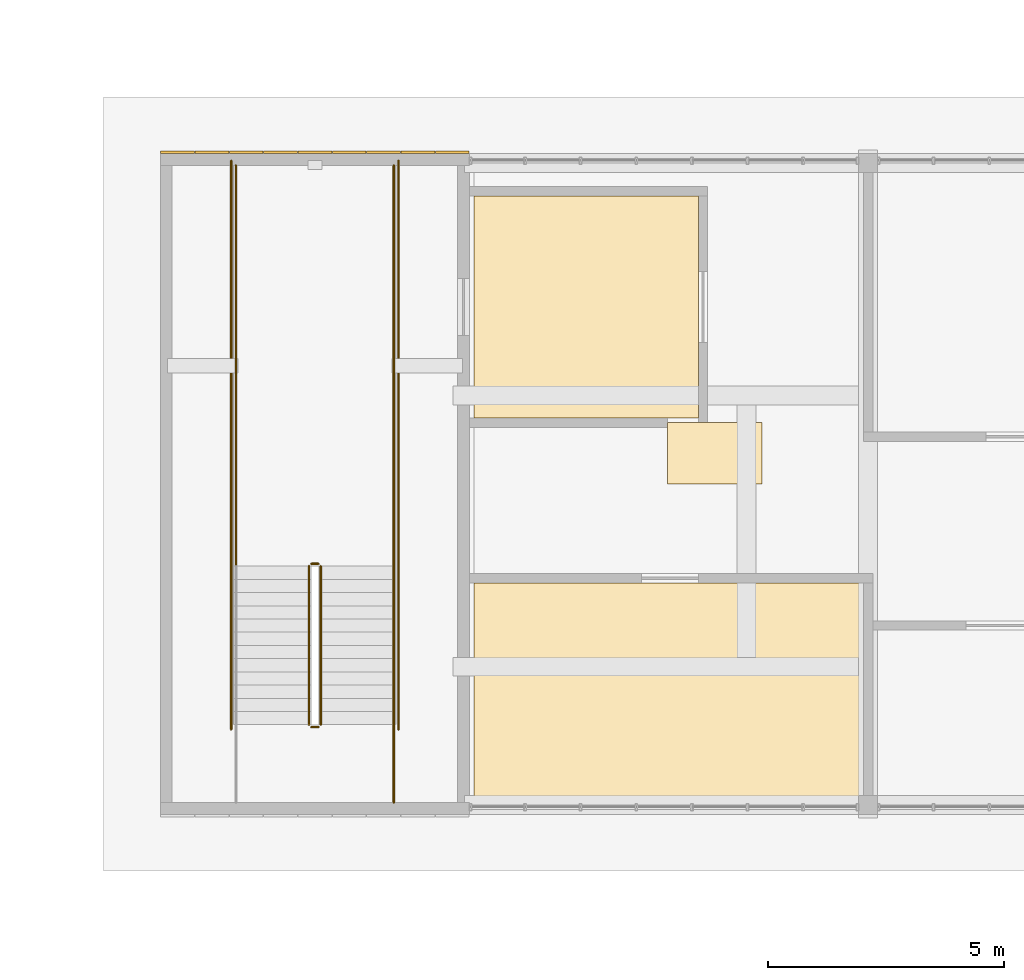
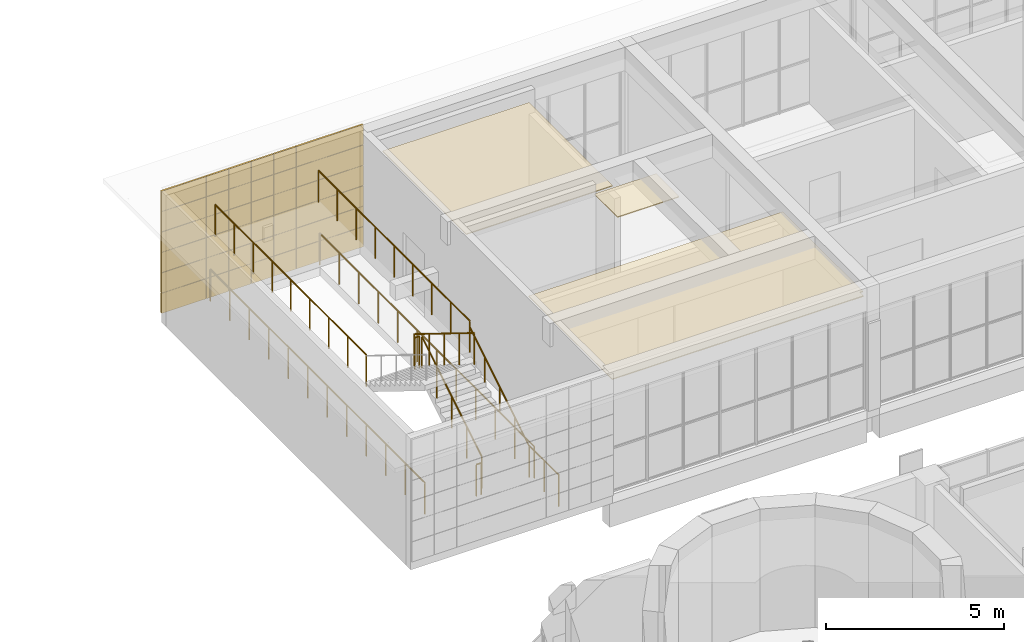
# One storey, part 71 of 92: 10 railings, 4 coverings.
"""IFC4 building model written with IfcOpenShell, lengths in metres."""

from ifc_helpers import new_model, si_unit, direction, frame, origin, origin_2d, place, context, subcontext, project, spatial, polyline, rectangle, circle, outline, extrude, material, layer, layer_set, type_object, element, save


model = new_model("IFC4")

# Units and contexts
model_context = context("Model", 3, precision=1e-05, world=origin(), true_north=direction((0.0, 1.0)))
body_context = subcontext(model_context, "Body", "Model", "MODEL_VIEW")
ifc_project = project(units=[si_unit("LENGTHUNIT", "METRE"), si_unit("AREAUNIT", "SQUARE_METRE"), si_unit("VOLUMEUNIT", "CUBIC_METRE"), si_unit("PLANEANGLEUNIT", "RADIAN"), si_unit("MASSUNIT", "GRAM", prefix="KILO")], contexts=[model_context])

# Site, building, storey
site_placement = place(None, origin())
site = spatial("IfcSite", under=ifc_project, at=site_placement, CompositionType="ELEMENT")
building_placement = place(site_placement, origin())
building = spatial("IfcBuilding", under=site, at=building_placement, Name="Sun Court Science Centre", CompositionType="ELEMENT")
storey_placement = place(building_placement, frame((0.0, 0.0, 11.25)))
storey = spatial("IfcBuildingStorey", under=building, at=storey_placement, Name="L02", CompositionType="ELEMENT", Elevation=11.25)

# Coverings
ifc_material_1 = material(Name="Gypsum board")
ifc_layer_1 = layer(ifc_material_1, 0.030029296875)
ifc_layer_set_1 = layer_set([ifc_layer_1], Name="Gypsum board")
covering_type_1 = type_object("IfcCoveringType", Name="Ceiling suspended 600 module", PredefinedType="CEILING", material=ifc_layer_set_1)
covering_1_placement = place(storey_placement, frame((0.0, 0.0, 3.77001953125)))
element("IfcCovering", 1, at=covering_1_placement, inside=storey, type_object=covering_type_1, Name="L02-072 ceiling", PredefinedType="CEILING", context=body_context, shape_type="SweptSolid", body=[
    extrude(outline(polyline([(42.64990234375, 36.199951171875), (42.64990234375, 40.89990234375), (50.89990234375, 40.89990234375), (50.89990234375, 36.39990234375), (50.800048828125, 36.39990234375), (50.800048828125, 36.199951171875), (42.64990234375, 36.199951171875)])), origin(), (0.0, 0.0, 1.0), 0.030029296875),
])
covering_2_placement = place(storey_placement, frame((0.0, 0.0, 3.77001953125)))
element("IfcCovering", 2, at=covering_2_placement, inside=storey, type_object=covering_type_1, Name="L02-073 ceiling", PredefinedType="CEILING", context=body_context, shape_type="SweptSolid", body=[
    extrude(outline(polyline([(42.64990234375, 49.10009765625), (47.39990234375, 49.10009765625), (47.39990234375, 44.39990234375), (42.64990234375, 44.39990234375), (42.64990234375, 49.10009765625)])), origin(), (0.0, 0.0, 1.0), 0.030029296875),
])
covering_3_placement = place(storey_placement, frame((0.0, 0.0, 3.77001953125)))
element("IfcCovering", 3, at=covering_3_placement, inside=storey, type_object=covering_type_1, Name="L02-078 ceiling", PredefinedType="CEILING", context=body_context, shape_type="SweptSolid", body=[
    extrude(outline(polyline([(48.75, 44.300048828125), (48.75, 43.0), (46.75, 43.0), (46.75, 44.300048828125), (48.75, 44.300048828125)])), origin(), (0.0, 0.0, 1.0), 0.030029296875),
])

# Railings
ifc_material_2 = material(Name="Steel S275", Category="steel")
railing_type_1 = type_object("IfcRailingType", Name="Guard 1100 steel balustrade", PredefinedType="GUARDRAIL", material=ifc_material_2)
railing_1_placement = place(storey_placement, frame((39.39990234375, 37.89794921875, 0.173095703125)))
element("IfcRailing", 4, at=railing_1_placement, inside=storey, type_object=railing_type_1, Name="L02 SP1 stair guard 1", PredefinedType="GUARDRAIL", context=body_context, shape_type="SweptSolid", body=[
    extrude(circle(Radius=0.02392578125, at=origin_2d()), frame((0.0, 0.0, 1.076171875), z_axis=(0.0, 0.850623216509, 0.525775754039), x_axis=(-1.0, 0.0, 0.0)), (0.0, 0.0, 1.0), 3.9501953125),
    extrude(circle(Radius=0.02099609375, at=origin_2d()), origin(), (0.0, 0.0, 1.0), 1.052001953125),
    extrude(circle(Radius=0.02099609375, at=origin_2d()), frame((0.0, 0.840087890625, 0.519287109375)), (0.0, 0.0, 1.0), 1.052001953125),
    extrude(circle(Radius=0.02099609375, at=origin_2d()), frame((0.0, 1.68017578125, 1.03857421875)), (0.0, 0.0, 1.0), 1.052001953125),
    extrude(circle(Radius=0.02099609375, at=origin_2d()), frame((0.0, 2.52001953125, 1.5576171875)), (0.0, 0.0, 1.0), 1.052001953125),
    extrude(circle(Radius=0.02099609375, at=origin_2d()), frame((0.0, 3.360107421875, 2.076904296875)), (0.0, 0.0, 1.0), 1.052001953125),
])
railing_2_placement = place(storey_placement, frame((39.35009765625, 41.30810546875, 2.25)))
element("IfcRailing", 5, at=railing_2_placement, inside=storey, type_object=railing_type_1, Name="L02 SP1 stair guard 2", PredefinedType="GUARDRAIL", context=body_context, shape_type="SweptSolid", body=[
    extrude(circle(Radius=0.02392578125, at=origin_2d()), frame((0.0, 0.0, 1.076171875), z_axis=(-1.0, 0.0, 0.0), x_axis=(0.0, -1.0, 0.0)), (0.0, 0.0, 1.0), 0.150146484375),
    extrude(circle(Radius=0.02099609375, at=origin_2d()), origin(), (0.0, 0.0, 1.0), 1.052001953125),
    extrude(circle(Radius=0.02099609375, at=origin_2d()), frame((-0.150146484375, 0.0, 0.0)), (0.0, 0.0, 1.0), 1.052001953125),
])
for number, where, name in (
    (6, (40.947998046875, 41.258056640625, 2.25), "L02 SP1 stair guard 3"),
    (7, (37.60205078125, 41.258056640625, 2.25), "L02 SP1 stair guard 4"),
):
    element("IfcRailing", number, at=place(storey_placement, frame(where)), inside=storey, type_object=railing_type_1, Name=name, PredefinedType="GUARDRAIL", context=body_context, shape_type="SweptSolid", body=[
        extrude(circle(Radius=0.02392578125, at=origin_2d()), frame((0.0, 0.0, 1.076171875), z_axis=(0.0, 1.0, 0.0), x_axis=(-1.0, 0.0, 0.0)), (0.0, 0.0, 1.0), 8.491943359375),
        extrude(circle(Radius=0.02099609375, at=origin_2d()), origin(), (0.0, 0.0, 1.0), 1.052001953125),
        extrude(circle(Radius=0.02099609375, at=origin_2d()), frame((0.0, 1.0615234375, 0.0)), (0.0, 0.0, 1.0), 1.052001953125),
        extrude(circle(Radius=0.02099609375, at=origin_2d()), frame((0.0, 2.123046875, 0.0)), (0.0, 0.0, 1.0), 1.052001953125),
        extrude(circle(Radius=0.02099609375, at=origin_2d()), frame((0.0, 3.1845703125, 0.0)), (0.0, 0.0, 1.0), 1.052001953125),
        extrude(circle(Radius=0.02099609375, at=origin_2d()), frame((0.0, 4.24609375, 0.0)), (0.0, 0.0, 1.0), 1.052001953125),
        extrude(circle(Radius=0.02099609375, at=origin_2d()), frame((0.0, 5.307373046875, 0.0)), (0.0, 0.0, 1.0), 1.052001953125),
        extrude(circle(Radius=0.02099609375, at=origin_2d()), frame((0.0, 6.368896484375, 0.0)), (0.0, 0.0, 1.0), 1.052001953125),
        extrude(circle(Radius=0.02099609375, at=origin_2d()), frame((0.0, 7.430419921875, 0.0)), (0.0, 0.0, 1.0), 1.052001953125),
        extrude(circle(Radius=0.02099609375, at=origin_2d()), frame((0.0, 8.491943359375, 0.0)), (0.0, 0.0, 1.0), 1.052001953125),
    ])
railing_3_placement = place(storey_placement, frame((39.14990234375, 41.258056640625, 2.423095703125)))
element("IfcRailing", 8, at=railing_3_placement, inside=storey, type_object=railing_type_1, Name="L02 SP1 stair guard 5", PredefinedType="GUARDRAIL", context=body_context, shape_type="SweptSolid", body=[
    extrude(circle(Radius=0.02392578125, at=origin_2d()), frame((0.0, 0.0, 1.076171875), z_axis=(0.0, -0.850623216509, 0.525775754039), x_axis=(1.0, 0.0, 0.0)), (0.0, 0.0, 1.0), 3.9501953125),
    extrude(circle(Radius=0.02099609375, at=origin_2d()), origin(), (0.0, 0.0, 1.0), 1.052001953125),
    extrude(circle(Radius=0.02099609375, at=origin_2d()), frame((0.0, -0.840087890625, 0.519287109375)), (0.0, 0.0, 1.0), 1.052001953125),
    extrude(circle(Radius=0.02099609375, at=origin_2d()), frame((0.0, -1.68017578125, 1.03857421875)), (0.0, 0.0, 1.0), 1.052001953125),
    extrude(circle(Radius=0.02099609375, at=origin_2d()), frame((0.0, -2.52001953125, 1.5576171875)), (0.0, 0.0, 1.0), 1.052001953125),
    extrude(circle(Radius=0.02099609375, at=origin_2d()), frame((0.0, -3.360107421875, 2.076904296875)), (0.0, 0.0, 1.0), 1.052001953125),
])
railing_4_placement = place(storey_placement, frame((39.35009765625, 37.847900390625, 0.0)))
element("IfcRailing", 9, at=railing_4_placement, inside=storey, type_object=railing_type_1, Name="L02 SP1 stair guard 6", PredefinedType="GUARDRAIL", context=body_context, shape_type="SweptSolid", body=[
    extrude(circle(Radius=0.02392578125, at=origin_2d()), frame((0.0, 0.0, 1.076171875), z_axis=(-1.0, 0.0, 0.0), x_axis=(0.0, -1.0, 0.0)), (0.0, 0.0, 1.0), 0.150146484375),
    extrude(circle(Radius=0.02099609375, at=origin_2d()), origin(), (0.0, 0.0, 1.0), 1.052001953125),
    extrude(circle(Radius=0.02099609375, at=origin_2d()), frame((-0.150146484375, 0.0, 0.0)), (0.0, 0.0, 1.0), 1.052001953125),
])
railing_5_placement = place(storey_placement, frame((40.947998046875, 36.25, 0.0)))
element("IfcRailing", 10, at=railing_5_placement, inside=storey, type_object=railing_type_1, Name="L02 SP1 stair guard 7", PredefinedType="GUARDRAIL", context=body_context, shape_type="SweptSolid", body=[
    extrude(circle(Radius=0.02392578125, at=origin_2d()), frame((0.0, 0.0, 1.076171875), z_axis=(0.0, 1.0, 0.0), x_axis=(-1.0, 0.0, 0.0)), (0.0, 0.0, 1.0), 1.64794921875),
    extrude(circle(Radius=0.02099609375, at=origin_2d()), origin(), (0.0, 0.0, 1.0), 1.052001953125),
    extrude(circle(Radius=0.02099609375, at=origin_2d()), frame((0.0, 0.823974609375, 0.0)), (0.0, 0.0, 1.0), 1.052001953125),
    extrude(circle(Radius=0.02099609375, at=origin_2d()), frame((0.0, 1.64794921875, 0.0)), (0.0, 0.0, 1.0), 1.052001953125),
])
for number, where, name in (
    (11, (41.048095703125, 37.798095703125, 0.0), "L02 SP1 stair guard 9"),
    (12, (37.501953125, 37.798095703125, 0.0), "L02 SP1 stair guard 10"),
):
    element("IfcRailing", number, at=place(storey_placement, frame(where)), inside=storey, type_object=railing_type_1, Name=name, PredefinedType="GUARDRAIL", context=body_context, shape_type="SweptSolid", body=[
        extrude(circle(Radius=0.02392578125, at=origin_2d()), frame((0.0, 0.0, 1.076171875), z_axis=(0.0, 1.0, 0.0), x_axis=(-1.0, 0.0, 0.0)), (0.0, 0.0, 1.0), 12.052001953125),
        extrude(circle(Radius=0.02099609375, at=origin_2d()), origin(), (0.0, 0.0, 1.0), 1.052001953125),
        extrude(circle(Radius=0.02099609375, at=origin_2d()), frame((0.0, 1.095703125, 0.0)), (0.0, 0.0, 1.0), 1.052001953125),
        extrude(circle(Radius=0.02099609375, at=origin_2d()), frame((0.0, 2.191162109375, 0.0)), (0.0, 0.0, 1.0), 1.052001953125),
        extrude(circle(Radius=0.02099609375, at=origin_2d()), frame((0.0, 3.286865234375, 0.0)), (0.0, 0.0, 1.0), 1.052001953125),
        extrude(circle(Radius=0.02099609375, at=origin_2d()), frame((0.0, 4.382568359375, 0.0)), (0.0, 0.0, 1.0), 1.052001953125),
        extrude(circle(Radius=0.02099609375, at=origin_2d()), frame((0.0, 5.478271484375, 0.0)), (0.0, 0.0, 1.0), 1.052001953125),
        extrude(circle(Radius=0.02099609375, at=origin_2d()), frame((0.0, 6.57373046875, 0.0)), (0.0, 0.0, 1.0), 1.052001953125),
        extrude(circle(Radius=0.02099609375, at=origin_2d()), frame((0.0, 7.66943359375, 0.0)), (0.0, 0.0, 1.0), 1.052001953125),
        extrude(circle(Radius=0.02099609375, at=origin_2d()), frame((0.0, 8.76513671875, 0.0)), (0.0, 0.0, 1.0), 1.052001953125),
        extrude(circle(Radius=0.02099609375, at=origin_2d()), frame((0.0, 9.86083984375, 0.0)), (0.0, 0.0, 1.0), 1.052001953125),
        extrude(circle(Radius=0.02099609375, at=origin_2d()), frame((0.0, 10.956298828125, 0.0)), (0.0, 0.0, 1.0), 1.052001953125),
        extrude(circle(Radius=0.02099609375, at=origin_2d()), frame((0.0, 12.052001953125, 0.0)), (0.0, 0.0, 1.0), 1.052001953125),
    ])
ifc_material_3 = material(Name="Stainless steel", Category="steel")
railing_type_2 = type_object("IfcRailingType", Name="Handrail 900 stainless", PredefinedType="HANDRAIL", material=ifc_material_3)
railing_6_placement = place(storey_placement, frame((40.947998046875, 37.89794921875, 0.173095703125)))
element("IfcRailing", 13, at=railing_6_placement, inside=storey, type_object=railing_type_2, Name="L02 SP1 stair handrail 1", PredefinedType="HANDRAIL", context=body_context, shape_type="SweptSolid", body=[
    extrude(circle(Radius=0.02392578125, at=origin_2d()), frame((0.0, 0.0, 0.8759765625), z_axis=(0.0, 0.850623216509, 0.525775754039), x_axis=(-1.0, 0.0, 0.0)), (0.0, 0.0, 1.0), 3.9501953125),
    extrude(circle(Radius=0.02099609375, at=origin_2d()), origin(), (0.0, 0.0, 1.0), 0.851806640625),
    extrude(circle(Radius=0.02099609375, at=origin_2d()), frame((0.0, 0.840087890625, 0.519287109375)), (0.0, 0.0, 1.0), 0.851806640625),
    extrude(circle(Radius=0.02099609375, at=origin_2d()), frame((0.0, 1.68017578125, 1.03857421875)), (0.0, 0.0, 1.0), 0.851806640625),
    extrude(circle(Radius=0.02099609375, at=origin_2d()), frame((0.0, 2.52001953125, 1.5576171875)), (0.0, 0.0, 1.0), 0.851806640625),
    extrude(circle(Radius=0.02099609375, at=origin_2d()), frame((0.0, 3.360107421875, 2.076904296875)), (0.0, 0.0, 1.0), 0.851806640625),
])

# Covering
ifc_material_4 = material(Name="Red sandstone", Category="masonry")
ifc_layer_2 = layer(ifc_material_4, 0.06005859375)
ifc_layer_set_2 = layer_set([ifc_layer_2], Name="Red sandstone")
covering_type_2 = type_object("IfcCoveringType", Name="Red sandstone wall cladding 750", PredefinedType="CLADDING", material=ifc_layer_set_2)
covering_4_placement = place(storey_placement, frame((0.0, 0.0, -11.25)))
element("IfcCovering", 14, at=covering_4_placement, inside=storey, type_object=covering_type_2, Name="Red sandstone wall cladding north face L02", PredefinedType="CLADDING", context=body_context, shape_type="SweptSolid", body=[
    extrude(rectangle(XDim=0.7177734375, YDim=0.06005859375, at=origin_2d()), frame((36.36376953125, 50.030029296875, 11.255126953125), z_axis=(0.0, 0.0, 1.0), x_axis=(1.0, 0.0, 0.0)), (0.0, 0.0, 1.0), 0.68994140625),
    extrude(rectangle(XDim=0.7177734375, YDim=0.06005859375, at=origin_2d()), frame((37.091552734375, 50.030029296875, 11.255126953125), z_axis=(0.0, 0.0, 1.0), x_axis=(1.0, 0.0, 0.0)), (0.0, 0.0, 1.0), 0.68994140625),
    extrude(rectangle(XDim=0.7177734375, YDim=0.06005859375, at=origin_2d()), frame((37.8193359375, 50.030029296875, 11.255126953125), z_axis=(0.0, 0.0, 1.0), x_axis=(1.0, 0.0, 0.0)), (0.0, 0.0, 1.0), 0.68994140625),
    extrude(rectangle(XDim=0.7177734375, YDim=0.06005859375, at=origin_2d()), frame((38.547119140625, 50.030029296875, 11.255126953125), z_axis=(0.0, 0.0, 1.0), x_axis=(1.0, 0.0, 0.0)), (0.0, 0.0, 1.0), 0.68994140625),
    extrude(rectangle(XDim=0.7177734375, YDim=0.06005859375, at=origin_2d()), frame((39.27490234375, 50.030029296875, 11.255126953125), z_axis=(0.0, 0.0, 1.0), x_axis=(1.0, 0.0, 0.0)), (0.0, 0.0, 1.0), 0.68994140625),
    extrude(rectangle(XDim=0.7177734375, YDim=0.06005859375, at=origin_2d()), frame((40.002685546875, 50.030029296875, 11.255126953125), z_axis=(0.0, 0.0, 1.0), x_axis=(1.0, 0.0, 0.0)), (0.0, 0.0, 1.0), 0.68994140625),
    extrude(rectangle(XDim=0.7177734375, YDim=0.06005859375, at=origin_2d()), frame((40.73046875, 50.030029296875, 11.255126953125), z_axis=(0.0, 0.0, 1.0), x_axis=(1.0, 0.0, 0.0)), (0.0, 0.0, 1.0), 0.68994140625),
    extrude(rectangle(XDim=0.7177734375, YDim=0.06005859375, at=origin_2d()), frame((41.458251953125, 50.030029296875, 11.255126953125), z_axis=(0.0, 0.0, 1.0), x_axis=(1.0, 0.0, 0.0)), (0.0, 0.0, 1.0), 0.68994140625),
    extrude(rectangle(XDim=0.7177734375, YDim=0.06005859375, at=origin_2d()), frame((42.18603515625, 50.030029296875, 11.255126953125), z_axis=(0.0, 0.0, 1.0), x_axis=(1.0, 0.0, 0.0)), (0.0, 0.0, 1.0), 0.68994140625),
    extrude(rectangle(XDim=0.7177734375, YDim=0.06005859375, at=origin_2d()), frame((36.36376953125, 50.030029296875, 11.955078125), z_axis=(0.0, 0.0, 1.0), x_axis=(1.0, 0.0, 0.0)), (0.0, 0.0, 1.0), 0.68994140625),
    extrude(rectangle(XDim=0.7177734375, YDim=0.06005859375, at=origin_2d()), frame((37.091552734375, 50.030029296875, 11.955078125), z_axis=(0.0, 0.0, 1.0), x_axis=(1.0, 0.0, 0.0)), (0.0, 0.0, 1.0), 0.68994140625),
    extrude(rectangle(XDim=0.7177734375, YDim=0.06005859375, at=origin_2d()), frame((37.8193359375, 50.030029296875, 11.955078125), z_axis=(0.0, 0.0, 1.0), x_axis=(1.0, 0.0, 0.0)), (0.0, 0.0, 1.0), 0.68994140625),
    extrude(rectangle(XDim=0.7177734375, YDim=0.06005859375, at=origin_2d()), frame((38.547119140625, 50.030029296875, 11.955078125), z_axis=(0.0, 0.0, 1.0), x_axis=(1.0, 0.0, 0.0)), (0.0, 0.0, 1.0), 0.68994140625),
    extrude(rectangle(XDim=0.7177734375, YDim=0.06005859375, at=origin_2d()), frame((39.27490234375, 50.030029296875, 11.955078125), z_axis=(0.0, 0.0, 1.0), x_axis=(1.0, 0.0, 0.0)), (0.0, 0.0, 1.0), 0.68994140625),
    extrude(rectangle(XDim=0.7177734375, YDim=0.06005859375, at=origin_2d()), frame((40.002685546875, 50.030029296875, 11.955078125), z_axis=(0.0, 0.0, 1.0), x_axis=(1.0, 0.0, 0.0)), (0.0, 0.0, 1.0), 0.68994140625),
    extrude(rectangle(XDim=0.7177734375, YDim=0.06005859375, at=origin_2d()), frame((40.73046875, 50.030029296875, 11.955078125), z_axis=(0.0, 0.0, 1.0), x_axis=(1.0, 0.0, 0.0)), (0.0, 0.0, 1.0), 0.68994140625),
    extrude(rectangle(XDim=0.7177734375, YDim=0.06005859375, at=origin_2d()), frame((41.458251953125, 50.030029296875, 11.955078125), z_axis=(0.0, 0.0, 1.0), x_axis=(1.0, 0.0, 0.0)), (0.0, 0.0, 1.0), 0.68994140625),
    extrude(rectangle(XDim=0.7177734375, YDim=0.06005859375, at=origin_2d()), frame((42.18603515625, 50.030029296875, 11.955078125), z_axis=(0.0, 0.0, 1.0), x_axis=(1.0, 0.0, 0.0)), (0.0, 0.0, 1.0), 0.68994140625),
    extrude(rectangle(XDim=0.7177734375, YDim=0.06005859375, at=origin_2d()), frame((36.36376953125, 50.030029296875, 12.655029296875), z_axis=(0.0, 0.0, 1.0), x_axis=(1.0, 0.0, 0.0)), (0.0, 0.0, 1.0), 0.68994140625),
    extrude(rectangle(XDim=0.7177734375, YDim=0.06005859375, at=origin_2d()), frame((37.091552734375, 50.030029296875, 12.655029296875), z_axis=(0.0, 0.0, 1.0), x_axis=(1.0, 0.0, 0.0)), (0.0, 0.0, 1.0), 0.68994140625),
    extrude(rectangle(XDim=0.7177734375, YDim=0.06005859375, at=origin_2d()), frame((37.8193359375, 50.030029296875, 12.655029296875), z_axis=(0.0, 0.0, 1.0), x_axis=(1.0, 0.0, 0.0)), (0.0, 0.0, 1.0), 0.68994140625),
    extrude(rectangle(XDim=0.7177734375, YDim=0.06005859375, at=origin_2d()), frame((38.547119140625, 50.030029296875, 12.655029296875), z_axis=(0.0, 0.0, 1.0), x_axis=(1.0, 0.0, 0.0)), (0.0, 0.0, 1.0), 0.68994140625),
    extrude(rectangle(XDim=0.7177734375, YDim=0.06005859375, at=origin_2d()), frame((39.27490234375, 50.030029296875, 12.655029296875), z_axis=(0.0, 0.0, 1.0), x_axis=(1.0, 0.0, 0.0)), (0.0, 0.0, 1.0), 0.68994140625),
    extrude(rectangle(XDim=0.7177734375, YDim=0.06005859375, at=origin_2d()), frame((40.002685546875, 50.030029296875, 12.655029296875), z_axis=(0.0, 0.0, 1.0), x_axis=(1.0, 0.0, 0.0)), (0.0, 0.0, 1.0), 0.68994140625),
    extrude(rectangle(XDim=0.7177734375, YDim=0.06005859375, at=origin_2d()), frame((40.73046875, 50.030029296875, 12.655029296875), z_axis=(0.0, 0.0, 1.0), x_axis=(1.0, 0.0, 0.0)), (0.0, 0.0, 1.0), 0.68994140625),
    extrude(rectangle(XDim=0.7177734375, YDim=0.06005859375, at=origin_2d()), frame((41.458251953125, 50.030029296875, 12.655029296875), z_axis=(0.0, 0.0, 1.0), x_axis=(1.0, 0.0, 0.0)), (0.0, 0.0, 1.0), 0.68994140625),
    extrude(rectangle(XDim=0.7177734375, YDim=0.06005859375, at=origin_2d()), frame((42.18603515625, 50.030029296875, 12.655029296875), z_axis=(0.0, 0.0, 1.0), x_axis=(1.0, 0.0, 0.0)), (0.0, 0.0, 1.0), 0.68994140625),
    extrude(rectangle(XDim=0.7177734375, YDim=0.06005859375, at=origin_2d()), frame((36.36376953125, 50.030029296875, 13.35498046875), z_axis=(0.0, 0.0, 1.0), x_axis=(1.0, 0.0, 0.0)), (0.0, 0.0, 1.0), 0.68994140625),
    extrude(rectangle(XDim=0.7177734375, YDim=0.06005859375, at=origin_2d()), frame((37.091552734375, 50.030029296875, 13.35498046875), z_axis=(0.0, 0.0, 1.0), x_axis=(1.0, 0.0, 0.0)), (0.0, 0.0, 1.0), 0.68994140625),
    extrude(rectangle(XDim=0.7177734375, YDim=0.06005859375, at=origin_2d()), frame((37.8193359375, 50.030029296875, 13.35498046875), z_axis=(0.0, 0.0, 1.0), x_axis=(1.0, 0.0, 0.0)), (0.0, 0.0, 1.0), 0.68994140625),
    extrude(rectangle(XDim=0.7177734375, YDim=0.06005859375, at=origin_2d()), frame((38.547119140625, 50.030029296875, 13.35498046875), z_axis=(0.0, 0.0, 1.0), x_axis=(1.0, 0.0, 0.0)), (0.0, 0.0, 1.0), 0.68994140625),
    extrude(rectangle(XDim=0.7177734375, YDim=0.06005859375, at=origin_2d()), frame((39.27490234375, 50.030029296875, 13.35498046875), z_axis=(0.0, 0.0, 1.0), x_axis=(1.0, 0.0, 0.0)), (0.0, 0.0, 1.0), 0.68994140625),
    extrude(rectangle(XDim=0.7177734375, YDim=0.06005859375, at=origin_2d()), frame((40.002685546875, 50.030029296875, 13.35498046875), z_axis=(0.0, 0.0, 1.0), x_axis=(1.0, 0.0, 0.0)), (0.0, 0.0, 1.0), 0.68994140625),
    extrude(rectangle(XDim=0.7177734375, YDim=0.06005859375, at=origin_2d()), frame((40.73046875, 50.030029296875, 13.35498046875), z_axis=(0.0, 0.0, 1.0), x_axis=(1.0, 0.0, 0.0)), (0.0, 0.0, 1.0), 0.68994140625),
    extrude(rectangle(XDim=0.7177734375, YDim=0.06005859375, at=origin_2d()), frame((41.458251953125, 50.030029296875, 13.35498046875), z_axis=(0.0, 0.0, 1.0), x_axis=(1.0, 0.0, 0.0)), (0.0, 0.0, 1.0), 0.68994140625),
    extrude(rectangle(XDim=0.7177734375, YDim=0.06005859375, at=origin_2d()), frame((42.18603515625, 50.030029296875, 13.35498046875), z_axis=(0.0, 0.0, 1.0), x_axis=(1.0, 0.0, 0.0)), (0.0, 0.0, 1.0), 0.68994140625),
    extrude(rectangle(XDim=0.7177734375, YDim=0.06005859375, at=origin_2d()), frame((36.36376953125, 50.030029296875, 14.054931640625), z_axis=(0.0, 0.0, 1.0), x_axis=(1.0, 0.0, 0.0)), (0.0, 0.0, 1.0), 0.68994140625),
    extrude(rectangle(XDim=0.7177734375, YDim=0.06005859375, at=origin_2d()), frame((37.091552734375, 50.030029296875, 14.054931640625), z_axis=(0.0, 0.0, 1.0), x_axis=(1.0, 0.0, 0.0)), (0.0, 0.0, 1.0), 0.68994140625),
    extrude(rectangle(XDim=0.7177734375, YDim=0.06005859375, at=origin_2d()), frame((37.8193359375, 50.030029296875, 14.054931640625), z_axis=(0.0, 0.0, 1.0), x_axis=(1.0, 0.0, 0.0)), (0.0, 0.0, 1.0), 0.68994140625),
    extrude(rectangle(XDim=0.7177734375, YDim=0.06005859375, at=origin_2d()), frame((38.547119140625, 50.030029296875, 14.054931640625), z_axis=(0.0, 0.0, 1.0), x_axis=(1.0, 0.0, 0.0)), (0.0, 0.0, 1.0), 0.68994140625),
    extrude(rectangle(XDim=0.7177734375, YDim=0.06005859375, at=origin_2d()), frame((39.27490234375, 50.030029296875, 14.054931640625), z_axis=(0.0, 0.0, 1.0), x_axis=(1.0, 0.0, 0.0)), (0.0, 0.0, 1.0), 0.68994140625),
    extrude(rectangle(XDim=0.7177734375, YDim=0.06005859375, at=origin_2d()), frame((40.002685546875, 50.030029296875, 14.054931640625), z_axis=(0.0, 0.0, 1.0), x_axis=(1.0, 0.0, 0.0)), (0.0, 0.0, 1.0), 0.68994140625),
    extrude(rectangle(XDim=0.7177734375, YDim=0.06005859375, at=origin_2d()), frame((40.73046875, 50.030029296875, 14.054931640625), z_axis=(0.0, 0.0, 1.0), x_axis=(1.0, 0.0, 0.0)), (0.0, 0.0, 1.0), 0.68994140625),
    extrude(rectangle(XDim=0.7177734375, YDim=0.06005859375, at=origin_2d()), frame((41.458251953125, 50.030029296875, 14.054931640625), z_axis=(0.0, 0.0, 1.0), x_axis=(1.0, 0.0, 0.0)), (0.0, 0.0, 1.0), 0.68994140625),
    extrude(rectangle(XDim=0.7177734375, YDim=0.06005859375, at=origin_2d()), frame((42.18603515625, 50.030029296875, 14.054931640625), z_axis=(0.0, 0.0, 1.0), x_axis=(1.0, 0.0, 0.0)), (0.0, 0.0, 1.0), 0.68994140625),
    extrude(rectangle(XDim=0.7177734375, YDim=0.06005859375, at=origin_2d()), frame((36.36376953125, 50.030029296875, 14.755126953125), z_axis=(0.0, 0.0, 1.0), x_axis=(1.0, 0.0, 0.0)), (0.0, 0.0, 1.0), 0.68994140625),
    extrude(rectangle(XDim=0.7177734375, YDim=0.06005859375, at=origin_2d()), frame((37.091552734375, 50.030029296875, 14.755126953125), z_axis=(0.0, 0.0, 1.0), x_axis=(1.0, 0.0, 0.0)), (0.0, 0.0, 1.0), 0.68994140625),
    extrude(rectangle(XDim=0.7177734375, YDim=0.06005859375, at=origin_2d()), frame((37.8193359375, 50.030029296875, 14.755126953125), z_axis=(0.0, 0.0, 1.0), x_axis=(1.0, 0.0, 0.0)), (0.0, 0.0, 1.0), 0.68994140625),
    extrude(rectangle(XDim=0.7177734375, YDim=0.06005859375, at=origin_2d()), frame((38.547119140625, 50.030029296875, 14.755126953125), z_axis=(0.0, 0.0, 1.0), x_axis=(1.0, 0.0, 0.0)), (0.0, 0.0, 1.0), 0.68994140625),
    extrude(rectangle(XDim=0.7177734375, YDim=0.06005859375, at=origin_2d()), frame((39.27490234375, 50.030029296875, 14.755126953125), z_axis=(0.0, 0.0, 1.0), x_axis=(1.0, 0.0, 0.0)), (0.0, 0.0, 1.0), 0.68994140625),
    extrude(rectangle(XDim=0.7177734375, YDim=0.06005859375, at=origin_2d()), frame((40.002685546875, 50.030029296875, 14.755126953125), z_axis=(0.0, 0.0, 1.0), x_axis=(1.0, 0.0, 0.0)), (0.0, 0.0, 1.0), 0.68994140625),
    extrude(rectangle(XDim=0.7177734375, YDim=0.06005859375, at=origin_2d()), frame((40.73046875, 50.030029296875, 14.755126953125), z_axis=(0.0, 0.0, 1.0), x_axis=(1.0, 0.0, 0.0)), (0.0, 0.0, 1.0), 0.68994140625),
    extrude(rectangle(XDim=0.7177734375, YDim=0.06005859375, at=origin_2d()), frame((41.458251953125, 50.030029296875, 14.755126953125), z_axis=(0.0, 0.0, 1.0), x_axis=(1.0, 0.0, 0.0)), (0.0, 0.0, 1.0), 0.68994140625),
    extrude(rectangle(XDim=0.7177734375, YDim=0.06005859375, at=origin_2d()), frame((42.18603515625, 50.030029296875, 14.755126953125), z_axis=(0.0, 0.0, 1.0), x_axis=(1.0, 0.0, 0.0)), (0.0, 0.0, 1.0), 0.68994140625),
])

save(model, "model.ifc")
